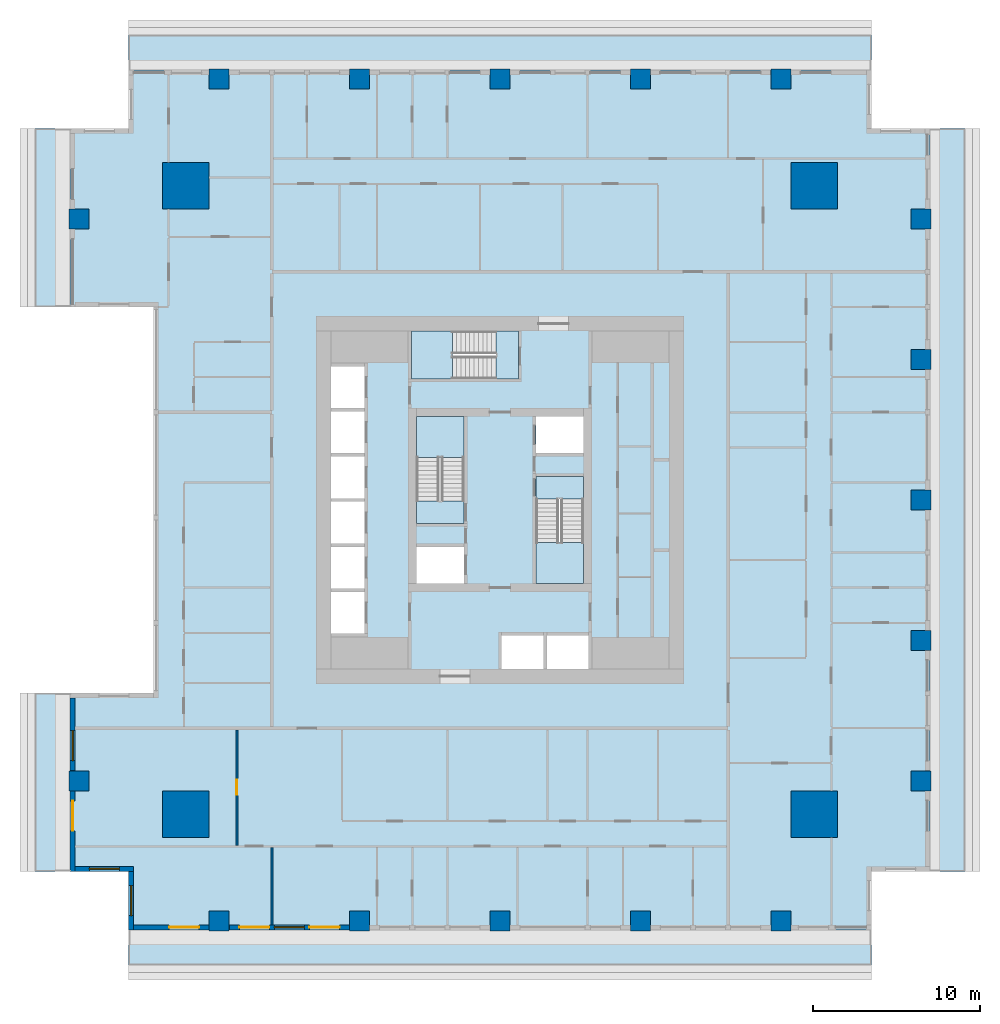
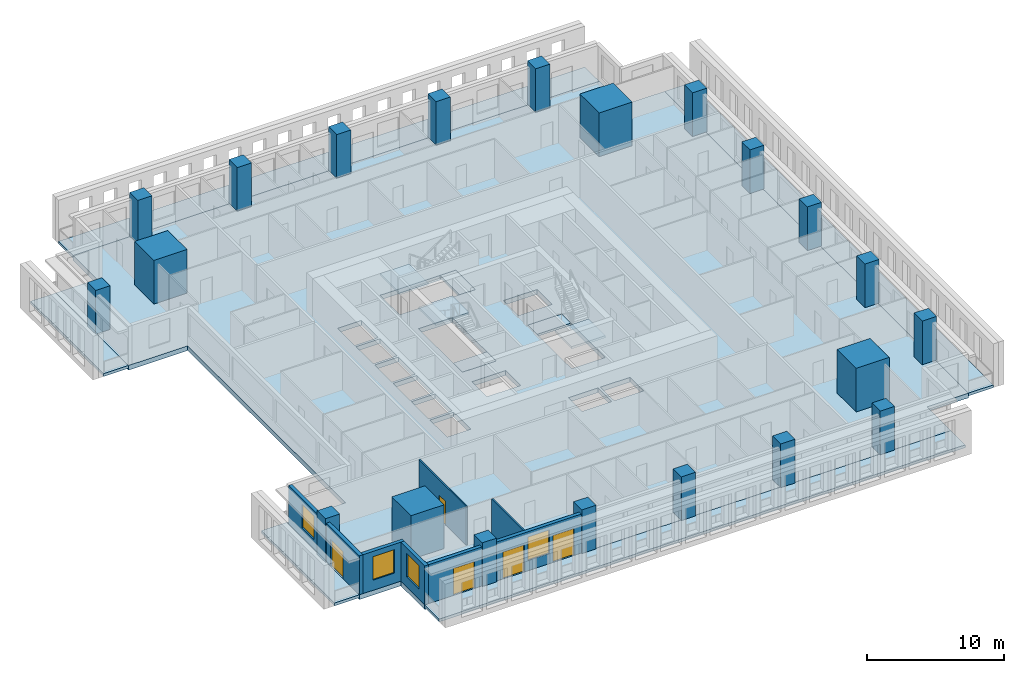
# One storey, part 1 of 14: 21 columns, 12 slabs, 8 walls, 5 doors, 4 windows, 9 openings, 3 elements without a shape of their own.
"""IFC4 building model written with IfcOpenShell, lengths in metres."""

import ifcopenshell
import ifcopenshell.guid

model = None  # the IFC model being written
_history = None  # IfcOwnerHistory: only IFC2X3 demands one
_inside = {}  # id of a spatial element -> (the spatial element, [elements in it])
_under = {}  # id of a project, library or spatial element -> (it, [spatial elements below it])
_declared = {}  # id of a project -> (the project, [libraries it declares])
_typed = {}  # id of a type object -> (the type object, [elements of that type])
_made_of = {}  # id of a material, layer set ... -> (it, [elements and type objects made of it])


def new_model(schema):
    """Start an empty IFC model of exactly this schema.

    Asked for "IFC4X3", IfcOpenShell would pick the latest addendum, in which some entities
    have other attributes; the version numbers below select the first issue.
    IFC2X3 requires an IfcOwnerHistory on every rooted entity: one is made here for all.
    """
    global model, _history
    if schema == "IFC4X3":
        model = ifcopenshell.file(schema_version=(4, 3, 0, 0))
    else:
        model = ifcopenshell.file(schema=schema)
    _inside.clear()
    _under.clear()
    _declared.clear()
    _typed.clear()
    _made_of.clear()
    _history = None
    if model.schema == "IFC2X3":
        org = make("IfcOrganization", Name="unknown")
        user = make(
            "IfcPersonAndOrganization",
            ThePerson=make("IfcPerson", FamilyName="unknown"),
            TheOrganization=org,
        )
        app = make(
            "IfcApplication",
            ApplicationDeveloper=org,
            Version="unknown",
            ApplicationFullName="unknown",
            ApplicationIdentifier="unknown",
        )
        _history = make(
            "IfcOwnerHistory",
            OwningUser=user,
            OwningApplication=app,
            ChangeAction="ADDED",
            CreationDate=0,
        )
    return model


def make(cls, **values):
    """One entity of the class cls with the attributes given. An attribute that is None is left unset."""
    return model.create_entity(
        cls, **{name: value for name, value in values.items() if value is not None}
    )


def rooted(cls, **values):
    """An entity with a GlobalId (a new one), such as an element, a storey or a relation."""
    return make(cls, GlobalId=ifcopenshell.guid.new(), OwnerHistory=_history, **values)


def si_unit(unit_type, name, prefix=None):
    """IfcSIUnit, for example si_unit("LENGTHUNIT", "METRE", prefix="MILLI")."""
    return make("IfcSIUnit", UnitType=unit_type, Prefix=prefix, Name=name)


def assignment(units):
    """IfcUnitAssignment: the units of a project."""
    return None if units is None else make("IfcUnitAssignment", Units=units)


def point(xyz):
    """IfcCartesianPoint."""
    return None if xyz is None else make("IfcCartesianPoint", Coordinates=xyz)


def direction(xyz):
    """IfcDirection."""
    return None if xyz is None else make("IfcDirection", DirectionRatios=xyz)


def frame(location, z_axis=None, x_axis=None):
    """IfcAxis2Placement3D, a coordinate frame: its origin and axes. An axis left out is left unset."""
    return make(
        "IfcAxis2Placement3D",
        Location=point(location),
        Axis=direction(z_axis),
        RefDirection=direction(x_axis),
    )


def frame_2d(location, x_axis=None):
    """IfcAxis2Placement2D, a coordinate frame in the plane: its origin and x axis."""
    return make(
        "IfcAxis2Placement2D", Location=point(location), RefDirection=direction(x_axis)
    )


def origin():
    """The frame at (0, 0, 0) with its axes left unset."""
    return frame((0.0, 0.0, 0.0))


def origin_2d():
    """The frame at (0, 0) in the plane with its x axis left unset."""
    return frame_2d((0.0, 0.0))


def place(relative_to, where):
    """IfcLocalPlacement: puts the frame where relative to a parent placement (None: the world)."""
    return make(
        "IfcLocalPlacement", PlacementRelTo=relative_to, RelativePlacement=where
    )


def context(
    kind, dimensions, precision=None, world=None, true_north=None, identifier=None
):
    """IfcGeometricRepresentationContext, for example the 3D "Model" context."""
    return make(
        "IfcGeometricRepresentationContext",
        ContextIdentifier=identifier,
        ContextType=kind,
        CoordinateSpaceDimension=dimensions,
        Precision=precision,
        WorldCoordinateSystem=world,
        TrueNorth=true_north,
    )


def subcontext(parent, identifier, kind, view, scale=None):
    """IfcGeometricRepresentationSubContext, for example "Body" below "Model"."""
    return make(
        "IfcGeometricRepresentationSubContext",
        ContextIdentifier=identifier,
        ContextType=kind,
        ParentContext=parent,
        TargetScale=scale,
        TargetView=view,
    )


def project(units=None, contexts=None):
    """IfcProject with its units and contexts."""
    return rooted(
        "IfcProject",
        Name="project",
        RepresentationContexts=contexts,
        UnitsInContext=assignment(units),
    )


def spatial(cls, under=None, at=None, **own):
    """A site, building, storey or space (cls), placed at a placement, below another one or the project."""
    s = rooted(cls, ObjectPlacement=at, **own)
    if under is not None:
        _under.setdefault(under.id(), (under, []))[1].append(s)
    return s


def polyline(points):
    """IfcPolyline through the points."""
    return make("IfcPolyline", Points=[point(p) for p in points])


def profile(cls, at=None, kind="AREA", **sizes):
    """A parametric profile (cls). Its sizes go by their IFC names, for example OverallWidth=200.0."""
    return make(cls, ProfileType=kind, Position=at, **sizes)


def rectangle(**sizes):
    """IfcRectangleProfileDef."""
    return profile("IfcRectangleProfileDef", **sizes)


def outline(outer, holes=None, kind="AREA"):
    """IfcArbitraryClosedProfileDef: a profile drawn as a closed curve; with holes, ...WithVoids."""
    if holes is None:
        return make("IfcArbitraryClosedProfileDef", ProfileType=kind, OuterCurve=outer)
    return make(
        "IfcArbitraryProfileDefWithVoids",
        ProfileType=kind,
        OuterCurve=outer,
        InnerCurves=holes,
    )


def extrude(swept, where, along, depth):
    """IfcExtrudedAreaSolid: the profile swept, set in the frame where, extruded along a direction by depth."""
    return make(
        "IfcExtrudedAreaSolid",
        SweptArea=swept,
        Position=where,
        ExtrudedDirection=direction(along),
        Depth=depth,
    )


def shape(context_of_items, identifier, shape_type, items):
    """IfcShapeRepresentation: the items that make up one representation, for example the "Body"."""
    return make(
        "IfcShapeRepresentation",
        ContextOfItems=context_of_items,
        RepresentationIdentifier=identifier,
        RepresentationType=shape_type,
        Items=items,
    )


def material(Name=None, Category=None):
    """IfcMaterial."""
    return make("IfcMaterial", Name=Name, Category=Category)


def layer(
    of_material, thickness, ventilated=None, Name=None, Category=None, Priority=None
):
    """IfcMaterialLayer: one layer of a wall or slab, of a material (None: an air gap)."""
    return make(
        "IfcMaterialLayer",
        Material=of_material,
        LayerThickness=thickness,
        IsVentilated=ventilated,
        Name=Name,
        Category=Category,
        Priority=Priority,
    )


def layer_set(layers, Name=None):
    """IfcMaterialLayerSet."""
    return make("IfcMaterialLayerSet", MaterialLayers=layers, LayerSetName=Name)


def material_profile(
    of_material, cross_section, Name=None, Category=None, Priority=None
):
    """IfcMaterialProfile: a cross section and its material."""
    return make(
        "IfcMaterialProfile",
        Name=Name,
        Material=of_material,
        Profile=cross_section,
        Priority=Priority,
        Category=Category,
    )


def profile_set(profiles, Name=None, composite=None):
    """IfcMaterialProfileSet."""
    return make(
        "IfcMaterialProfileSet",
        Name=Name,
        MaterialProfiles=profiles,
        CompositeProfile=composite,
    )


def made_of(thing, what):
    """Note that an element or type object is made of a material, layer set ...; save() writes the relation."""
    if what is not None:
        _made_of.setdefault(what.id(), (what, []))[1].append(thing)
    return thing


def type_object(cls, material=None, **own):
    """A type object (cls), such as IfcWallType, which elements share."""
    return made_of(rooted(cls, **own), material)


def element(
    cls,
    number,
    at=None,
    inside=None,
    cuts=None,
    type_object=None,
    material=None,
    context=None,
    identifier="Body",
    shape_type=None,
    held_by="IfcProductDefinitionShape",
    body=None,
    shapes=None,
    **own,
):
    """One element of the class cls, such as IfcWall. Its Tag is "e" and its number.

    at: its placement. inside: the storey or other place that contains it. cuts: it is an
    opening in that element (IfcRelVoidsElement). A single representation is given by context,
    identifier, shape_type and body (its items); several are given by shapes. held_by: the class
    of the entity that holds the representations. save() writes the other relations.
    """
    e = rooted(cls, Tag="e%d" % number, ObjectPlacement=at, **own)
    if body is not None:
        shapes = [shape(context, identifier, shape_type, body)]
    if shapes is not None:
        e.Representation = make(held_by, Representations=shapes)
    if inside is not None:
        _inside.setdefault(inside.id(), (inside, []))[1].append(e)
    if cuts is not None:
        rooted(
            "IfcRelVoidsElement", RelatingBuildingElement=cuts, RelatedOpeningElement=e
        )
    if type_object is not None:
        _typed.setdefault(type_object.id(), (type_object, []))[1].append(e)
    return made_of(e, material)


def fill(opening, filler):
    """IfcRelFillsElement: the door or window that sits in an opening."""
    return rooted(
        "IfcRelFillsElement",
        RelatingOpeningElement=opening,
        RelatedBuildingElement=filler,
    )


def aggregate(whole, parts):
    """IfcRelAggregates: a whole, such as a stair, and the parts it consists of."""
    return rooted("IfcRelAggregates", RelatingObject=whole, RelatedObjects=parts)


def save(model, path):
    """Write the relations noted so far, then the file.

    IfcRelAggregates (storeys below a building ...), IfcRelContainedInSpatialStructure (elements
    in a storey), IfcRelDefinesByType, IfcRelAssociatesMaterial and IfcRelDeclares: one each for
    every whole, place, type object, material and project.
    """
    for whole, parts in _under.values():
        aggregate(whole, parts)
    for where, things in _inside.values():
        rooted(
            "IfcRelContainedInSpatialStructure",
            RelatedElements=things,
            RelatingStructure=where,
        )
    for kind, things in _typed.values():
        rooted("IfcRelDefinesByType", RelatedObjects=things, RelatingType=kind)
    for what, things in _made_of.values():
        rooted("IfcRelAssociatesMaterial", RelatedObjects=things, RelatingMaterial=what)
    for by, libraries in _declared.values():
        rooted("IfcRelDeclares", RelatingContext=by, RelatedDefinitions=libraries)
    model.write(path)


model = new_model("IFC4")

# Units and contexts
model_context = context("Model", 3, precision=1e-05, world=origin(), true_north=direction((0.0, 1.0)))
body_context = subcontext(model_context, "Body", "Model", "MODEL_VIEW")
ifc_project = project(units=[si_unit("LENGTHUNIT", "METRE"), si_unit("AREAUNIT", "SQUARE_METRE"), si_unit("VOLUMEUNIT", "CUBIC_METRE"), si_unit("PLANEANGLEUNIT", "RADIAN"), si_unit("MASSUNIT", "GRAM", prefix="KILO")], contexts=[model_context])

# Site, building, storey
site_placement = place(None, origin())
site = spatial("IfcSite", under=ifc_project, at=site_placement, CompositionType="ELEMENT")
building_placement = place(site_placement, origin())
building = spatial("IfcBuilding", under=site, at=building_placement, Name="Khepri Terraces", CompositionType="ELEMENT")
storey_placement = place(building_placement, frame((0.0, 0.0, 114.300048828125)))
storey = spatial("IfcBuildingStorey", under=building, at=storey_placement, Name="L27", CompositionType="ELEMENT", Elevation=114.300048828125)

# Columns
ifc_material_1 = material(Name="Concrete C70/85", Category="concrete")
ifc_material_profile_1 = material_profile(ifc_material_1, rectangle(XDim=2.800048828125, YDim=2.800048828125, at=origin_2d()), Name="Concrete C70/85", Category="concrete")
ifc_profile_set_1 = profile_set([ifc_material_profile_1], Name="Concrete C70/85")
column_type_1 = type_object("IfcColumnType", Name="Mega column RC 2800x2800 C70/85", PredefinedType="COLUMN", material=ifc_profile_set_1)
for number, where, z_axis, x_axis, name in (
    (1, (18.800048828125, 18.800048828125, 0.0), (0.0, 0.0, 1.0), (1.0, 0.0, 0.0), "Mega column MEN L27"),
    (2, (18.800048828125, -18.800048828125, 0.0), (0.0, 0.0, 1.0), (1.0, 0.0, 0.0), "Mega column MES L27"),
    (3, (-18.800048828125, 18.800048828125, 0.0), (0.0, 0.0, 1.0), (1.0, 0.0, 0.0), "Mega column MWN L27"),
    (4, (-18.800048828125, -18.800048828125, 0.0), (0.0, 0.0, 1.0), (1.0, 0.0, 0.0), "Mega column MWS L27"),
):
    element("IfcColumn", number, at=place(storey_placement, frame(where, z_axis=z_axis, x_axis=x_axis)), inside=storey, type_object=column_type_1, Name=name, PredefinedType="COLUMN", context=body_context, shape_type="SweptSolid", body=[
        extrude(rectangle(XDim=2.800048828125, YDim=2.800048828125, at=origin_2d()), origin(), (0.0, 0.0, 1.0), 3.89990234375),
    ])
ifc_material_profile_2 = material_profile(ifc_material_1, rectangle(XDim=1.199951171875, YDim=1.199951171875, at=origin_2d()), Name="Concrete C70/85", Category="concrete")
ifc_profile_set_2 = profile_set([ifc_material_profile_2], Name="Concrete C70/85")
column_type_2 = type_object("IfcColumnType", Name="Tower column RC 1200x1200 C70/85", PredefinedType="COLUMN", material=ifc_profile_set_2)
for number, where, z_axis, x_axis, name in (
    (5, (25.199951171875, 0.0, 0.0), (0.0, 0.0, 1.0), (1.0, 0.0, 0.0), "Perimeter column PE+000a L27"),
    (6, (25.199951171875, 8.39990234375, 0.0), (0.0, 0.0, 1.0), (1.0, 0.0, 0.0), "Perimeter column PE+084a L27"),
    (7, (25.199951171875, 16.800048828125, 0.0), (0.0, 0.0, 1.0), (1.0, 0.0, 0.0), "Perimeter column PE+168a L27"),
    (8, (25.199951171875, -8.39990234375, 0.0), (0.0, 0.0, 1.0), (1.0, 0.0, 0.0), "Perimeter column PE-084a L27"),
    (9, (25.199951171875, -16.800048828125, 0.0), (0.0, 0.0, 1.0), (1.0, 0.0, 0.0), "Perimeter column PE-168a L27"),
    (10, (0.0, 25.199951171875, 0.0), (0.0, 0.0, 1.0), (1.0, 0.0, 0.0), "Perimeter column PN+000a L27"),
    (11, (-8.39990234375, 25.199951171875, 0.0), (0.0, 0.0, 1.0), (1.0, 0.0, 0.0), "Perimeter column PN+084a L27"),
    (12, (-16.800048828125, 25.199951171875, 0.0), (0.0, 0.0, 1.0), (1.0, 0.0, 0.0), "Perimeter column PN+168a L27"),
    (13, (8.39990234375, 25.199951171875, 0.0), (0.0, 0.0, 1.0), (1.0, 0.0, 0.0), "Perimeter column PN-084a L27"),
    (14, (16.800048828125, 25.199951171875, 0.0), (0.0, 0.0, 1.0), (1.0, 0.0, 0.0), "Perimeter column PN-168a L27"),
    (15, (0.0, -25.199951171875, 0.0), (0.0, 0.0, 1.0), (1.0, 0.0, 0.0), "Perimeter column PS+000b L27"),
    (16, (8.39990234375, -25.199951171875, 0.0), (0.0, 0.0, 1.0), (1.0, 0.0, 0.0), "Perimeter column PS+084b L27"),
    (17, (16.800048828125, -25.199951171875, 0.0), (0.0, 0.0, 1.0), (1.0, 0.0, 0.0), "Perimeter column PS+168a L27"),
    (18, (-8.39990234375, -25.199951171875, 0.0), (0.0, 0.0, 1.0), (1.0, 0.0, 0.0), "Perimeter column PS-084b L27"),
    (19, (-16.800048828125, -25.199951171875, 0.0), (0.0, 0.0, 1.0), (1.0, 0.0, 0.0), "Perimeter column PS-168a L27"),
    (20, (-25.199951171875, -16.800048828125, 0.0), (0.0, 0.0, 1.0), (1.0, 0.0, 0.0), "Perimeter column PW+168a L27"),
    (21, (-25.199951171875, 16.800048828125, 0.0), (0.0, 0.0, 1.0), (1.0, 0.0, 0.0), "Perimeter column PW-168a L27"),
):
    element("IfcColumn", number, at=place(storey_placement, frame(where, z_axis=z_axis, x_axis=x_axis)), inside=storey, type_object=column_type_2, Name=name, PredefinedType="COLUMN", context=body_context, shape_type="SweptSolid", body=[
        extrude(rectangle(XDim=1.199951171875, YDim=1.199951171875, at=origin_2d()), origin(), (0.0, 0.0, 1.0), 3.89990234375),
    ])

# Slabs
ifc_material_2 = material(Name="Concrete C40/50", Category="concrete")
ifc_layer_1 = layer(ifc_material_2, 0.419921875, Name="Concrete C40/50", Category="concrete")
ifc_layer_set_1 = layer_set([ifc_layer_1], Name="Concrete C40/50")
slab_type_1 = type_object("IfcSlabType", Name="Flat plate 420", PredefinedType="FLOOR", material=ifc_layer_set_1)
slab_1_placement = place(storey_placement, frame((0.0, 0.0, -0.420166015625)))
element("IfcSlab", 22, at=slab_1_placement, inside=storey, type_object=slab_type_1, Name="Floor slab F01 L27", PredefinedType="FLOOR", context=body_context, shape_type="SweptSolid", body=[
    extrude(outline(polyline([(22.219970703125, 22.219970703125), (25.719970703125, 22.219970703125), (25.719970703125, -22.219970703125), (22.219970703125, -22.219970703125), (22.219970703125, -25.719970703125), (-22.219970703125, -25.719970703125), (-22.219970703125, -22.219970703125), (-25.719970703125, -22.219970703125), (-25.719970703125, -11.550048828125), (-20.719970703125, -11.550048828125), (-20.719970703125, 11.550048828125), (-25.719970703125, 11.550048828125), (-25.719970703125, 22.219970703125), (-22.219970703125, 22.219970703125), (-22.219970703125, 25.719970703125), (22.219970703125, 25.719970703125), (22.219970703125, 22.219970703125)]), holes=[polyline([(5.0, 5.0), (2.14990234375, 5.0), (2.14990234375, 2.800048828125), (5.0, 2.800048828125), (5.0, 5.0)]), polyline([(-2.14990234375, -5.0), (-2.14990234375, -2.800048828125), (-5.0, -2.800048828125), (-5.0, -5.0), (-2.14990234375, -5.0)]), polyline([(-10.10009765625, -8.0), (-8.10009765625, -8.0), (-8.10009765625, -5.5), (-10.10009765625, -5.5), (-10.10009765625, -8.0)]), polyline([(-10.10009765625, -2.800048828125), (-10.10009765625, -5.300048828125), (-8.10009765625, -5.300048828125), (-8.10009765625, -2.800048828125), (-10.10009765625, -2.800048828125)]), polyline([(-8.10009765625, -0.10009765625), (-10.10009765625, -0.10009765625), (-10.10009765625, -2.60009765625), (-8.10009765625, -2.60009765625), (-8.10009765625, -0.10009765625)]), polyline([(-8.10009765625, 0.10009765625), (-8.10009765625, 2.60009765625), (-10.10009765625, 2.60009765625), (-10.10009765625, 0.10009765625), (-8.10009765625, 0.10009765625)]), polyline([(-10.10009765625, 2.800048828125), (-8.10009765625, 2.800048828125), (-8.10009765625, 5.300048828125), (-10.10009765625, 5.300048828125), (-10.10009765625, 2.800048828125)]), polyline([(-10.10009765625, 8.0), (-10.10009765625, 5.5), (-8.10009765625, 5.5), (-8.10009765625, 8.0), (-10.10009765625, 8.0)]), polyline([(2.60009765625, -8.10009765625), (0.10009765625, -8.10009765625), (0.10009765625, -10.10009765625), (2.60009765625, -10.10009765625), (2.60009765625, -8.10009765625)]), polyline([(5.300048828125, -10.10009765625), (5.300048828125, -8.10009765625), (2.800048828125, -8.10009765625), (2.800048828125, -10.10009765625), (5.300048828125, -10.10009765625)]), polyline([(-5.0, -1.39990234375), (-2.14990234375, -1.39990234375), (-2.14990234375, 5.0), (-5.0, 5.0), (-5.0, -1.39990234375)]), polyline([(5.0, -5.0), (5.0, 1.39990234375), (2.14990234375, 1.39990234375), (2.14990234375, -5.0), (5.0, -5.0)]), polyline([(-5.300048828125, 10.10009765625), (-5.300048828125, 7.25), (1.10009765625, 7.25), (1.10009765625, 10.10009765625), (-5.300048828125, 10.10009765625)])]), origin(), (0.0, 0.0, 1.0), 0.420166015625),
])
ifc_material_3 = material(Name="Precast concrete C50/60 warm stone", Category="masonry")
ifc_layer_2 = layer(ifc_material_3, 0.25, Name="Precast concrete C50/60 warm stone", Category="masonry")
ifc_layer_set_2 = layer_set([ifc_layer_2], Name="Precast concrete C50/60 warm stone")
slab_type_2 = type_object("IfcSlabType", Name="SLB-BALCONY-250", PredefinedType="FLOOR", material=ifc_layer_set_2)
slab_2_placement = place(storey_placement, frame((0.0, 0.0, -0.25)))
element("IfcSlab", 23, at=slab_2_placement, inside=storey, type_object=slab_type_2, Name="Balcony slab L27 S", PredefinedType="FLOOR", context=body_context, shape_type="SweptSolid", body=[
    extrude(outline(polyline([(-17.39990234375, -25.719970703125), (-22.219970703125, -25.719970703125), (-22.219970703125, -27.820068359375), (22.219970703125, -27.820068359375), (22.219970703125, -25.719970703125), (17.39990234375, -25.719970703125), (17.39990234375, -25.800048828125), (16.199951171875, -25.800048828125), (16.199951171875, -25.719970703125), (9.0, -25.719970703125), (9.0, -25.800048828125), (7.800048828125, -25.800048828125), (7.800048828125, -25.719970703125), (0.60009765625, -25.719970703125), (0.60009765625, -25.800048828125), (-0.60009765625, -25.800048828125), (-0.60009765625, -25.719970703125), (-7.800048828125, -25.719970703125), (-7.800048828125, -25.800048828125), (-9.0, -25.800048828125), (-9.0, -25.719970703125), (-16.199951171875, -25.719970703125), (-16.199951171875, -25.800048828125), (-17.39990234375, -25.800048828125), (-17.39990234375, -25.719970703125)])), origin(), (0.0, 0.0, 1.0), 0.25),
])
slab_3_placement = place(storey_placement, frame((0.0, 0.0, -0.25)))
element("IfcSlab", 24, at=slab_3_placement, inside=storey, type_object=slab_type_2, Name="Balcony slab L27 E", PredefinedType="FLOOR", context=body_context, shape_type="SweptSolid", body=[
    extrude(outline(polyline([(25.719970703125, -17.39990234375), (25.719970703125, -22.219970703125), (27.820068359375, -22.219970703125), (27.820068359375, 22.219970703125), (25.719970703125, 22.219970703125), (25.719970703125, 17.39990234375), (25.800048828125, 17.39990234375), (25.800048828125, 16.199951171875), (25.719970703125, 16.199951171875), (25.719970703125, 9.0), (25.800048828125, 9.0), (25.800048828125, 7.800048828125), (25.719970703125, 7.800048828125), (25.719970703125, 0.60009765625), (25.800048828125, 0.60009765625), (25.800048828125, -0.60009765625), (25.719970703125, -0.60009765625), (25.719970703125, -7.800048828125), (25.800048828125, -7.800048828125), (25.800048828125, -9.0), (25.719970703125, -9.0), (25.719970703125, -16.199951171875), (25.800048828125, -16.199951171875), (25.800048828125, -17.39990234375), (25.719970703125, -17.39990234375)])), origin(), (0.0, 0.0, 1.0), 0.25),
])
slab_4_placement = place(storey_placement, frame((0.0, 0.0, -0.25)))
element("IfcSlab", 25, at=slab_4_placement, inside=storey, type_object=slab_type_2, Name="Balcony slab L27 N", PredefinedType="FLOOR", context=body_context, shape_type="SweptSolid", body=[
    extrude(outline(polyline([(17.39990234375, 25.719970703125), (22.219970703125, 25.719970703125), (22.219970703125, 27.820068359375), (-22.219970703125, 27.820068359375), (-22.219970703125, 25.719970703125), (-17.39990234375, 25.719970703125), (-17.39990234375, 25.800048828125), (-16.199951171875, 25.800048828125), (-16.199951171875, 25.719970703125), (-9.0, 25.719970703125), (-9.0, 25.800048828125), (-7.800048828125, 25.800048828125), (-7.800048828125, 25.719970703125), (-0.60009765625, 25.719970703125), (-0.60009765625, 25.800048828125), (0.60009765625, 25.800048828125), (0.60009765625, 25.719970703125), (7.800048828125, 25.719970703125), (7.800048828125, 25.800048828125), (9.0, 25.800048828125), (9.0, 25.719970703125), (16.199951171875, 25.719970703125), (16.199951171875, 25.800048828125), (17.39990234375, 25.800048828125), (17.39990234375, 25.719970703125)])), origin(), (0.0, 0.0, 1.0), 0.25),
])
slab_5_placement = place(storey_placement, frame((0.0, 0.0, -0.25)))
element("IfcSlab", 26, at=slab_5_placement, inside=storey, type_object=slab_type_2, Name="Balcony slab L27 W", PredefinedType="FLOOR", context=body_context, shape_type="SweptSolid", body=[
    extrude(outline(polyline([(-25.719970703125, 17.39990234375), (-25.719970703125, 22.219970703125), (-27.820068359375, 22.219970703125), (-27.820068359375, 11.550048828125), (-25.719970703125, 11.550048828125), (-25.719970703125, 16.199951171875), (-25.800048828125, 16.199951171875), (-25.800048828125, 17.39990234375), (-25.719970703125, 17.39990234375)])), origin(), (0.0, 0.0, 1.0), 0.25),
])
slab_6_placement = place(storey_placement, frame((0.0, 0.0, -0.25)))
element("IfcSlab", 27, at=slab_6_placement, inside=storey, type_object=slab_type_2, Name="Balcony slab L27 W", PredefinedType="FLOOR", context=body_context, shape_type="SweptSolid", body=[
    extrude(outline(polyline([(-25.719970703125, -16.199951171875), (-25.719970703125, -11.550048828125), (-27.820068359375, -11.550048828125), (-27.820068359375, -22.219970703125), (-25.719970703125, -22.219970703125), (-25.719970703125, -17.39990234375), (-25.800048828125, -17.39990234375), (-25.800048828125, -16.199951171875), (-25.719970703125, -16.199951171875)])), origin(), (0.0, 0.0, 1.0), 0.25),
])

# Stair, slabs
stair_type = type_object("IfcStairType", Name="STAIR-RC-22R", PredefinedType="HALF_TURN_STAIR", material=ifc_material_2)
stair_1_placement = place(storey_placement, origin())
stair_1 = element("IfcStair", 28, at=stair_1_placement, inside=storey, type_object=stair_type, Name="L27 Exit Stair ST-1", PredefinedType="HALF_TURN_STAIR")
ifc_layer_3 = layer(ifc_material_2, 0.199951171875, Name="Concrete C40/50", Category="concrete")
ifc_layer_set_3 = layer_set([ifc_layer_3], Name="Concrete C40/50")
slab_type_3 = type_object("IfcSlabType", Name="SLB-CORE-LANDING", PredefinedType="LANDING", material=ifc_layer_set_3)
slab_7_placement = place(storey_placement, frame((0.0, 0.0, -0.199951171875)))
slab_7 = element("IfcSlab", 29, at=slab_7_placement, type_object=slab_type_3, Name="ST-1 landing 1", PredefinedType="LANDING", context=body_context, shape_type="SweptSolid", body=[
    extrude(outline(polyline([(-2.14990234375, -1.39990234375), (-2.14990234375, -0.050048828125), (-5.0, -0.050048828125), (-5.0, -1.39990234375), (-2.14990234375, -1.39990234375)])), origin(), (0.0, 0.0, 1.0), 0.199951171875),
])
slab_8_placement = place(storey_placement, frame((0.0, 0.0, 1.75)))
slab_8 = element("IfcSlab", 30, at=slab_8_placement, type_object=slab_type_3, Name="ST-1 landing 2", PredefinedType="LANDING", context=body_context, shape_type="SweptSolid", body=[
    extrude(outline(polyline([(-2.14990234375, 2.550048828125), (-2.14990234375, 5.0), (-5.0, 5.0), (-5.0, 2.550048828125), (-2.14990234375, 2.550048828125)])), origin(), (0.0, 0.0, 1.0), 0.199951171875),
])
aggregate(stair_1, [slab_7, slab_8])

stair_2_placement = place(storey_placement, origin())
stair_2 = element("IfcStair", 31, at=stair_2_placement, inside=storey, type_object=stair_type, Name="L27 Exit Stair ST-2", PredefinedType="HALF_TURN_STAIR")
slab_9_placement = place(storey_placement, frame((0.0, 0.0, -0.199951171875)))
slab_9 = element("IfcSlab", 32, at=slab_9_placement, type_object=slab_type_3, Name="ST-2 landing 1", PredefinedType="LANDING", context=body_context, shape_type="SweptSolid", body=[
    extrude(outline(polyline([(2.14990234375, 1.39990234375), (2.14990234375, 0.050048828125), (5.0, 0.050048828125), (5.0, 1.39990234375), (2.14990234375, 1.39990234375)])), origin(), (0.0, 0.0, 1.0), 0.199951171875),
])
slab_10_placement = place(storey_placement, frame((0.0, 0.0, 1.75)))
slab_10 = element("IfcSlab", 33, at=slab_10_placement, type_object=slab_type_3, Name="ST-2 landing 2", PredefinedType="LANDING", context=body_context, shape_type="SweptSolid", body=[
    extrude(outline(polyline([(2.14990234375, -2.550048828125), (2.14990234375, -5.0), (5.0, -5.0), (5.0, -2.550048828125), (2.14990234375, -2.550048828125)])), origin(), (0.0, 0.0, 1.0), 0.199951171875),
])
aggregate(stair_2, [slab_9, slab_10])

stair_3_placement = place(storey_placement, origin())
stair_3 = element("IfcStair", 34, at=stair_3_placement, inside=storey, type_object=stair_type, Name="L27 Exit Stair ST-3", PredefinedType="HALF_TURN_STAIR")
slab_11_placement = place(storey_placement, frame((0.0, 0.0, -0.199951171875)))
slab_11 = element("IfcSlab", 35, at=slab_11_placement, type_object=slab_type_3, Name="ST-3 landing 1", PredefinedType="LANDING", context=body_context, shape_type="SweptSolid", body=[
    extrude(outline(polyline([(1.10009765625, 10.10009765625), (-0.25, 10.10009765625), (-0.25, 7.25), (1.10009765625, 7.25), (1.10009765625, 10.10009765625)])), origin(), (0.0, 0.0, 1.0), 0.199951171875),
])
slab_12_placement = place(storey_placement, frame((0.0, 0.0, 1.75)))
slab_12 = element("IfcSlab", 36, at=slab_12_placement, type_object=slab_type_3, Name="ST-3 landing 2", PredefinedType="LANDING", context=body_context, shape_type="SweptSolid", body=[
    extrude(outline(polyline([(-2.85009765625, 10.10009765625), (-5.300048828125, 10.10009765625), (-5.300048828125, 7.25), (-2.85009765625, 7.25), (-2.85009765625, 10.10009765625)])), origin(), (0.0, 0.0, 1.0), 0.199951171875),
])
aggregate(stair_3, [slab_11, slab_12])

# Wall, opening, window
ifc_layer_4 = layer(ifc_material_3, 0.300048828125, Name="Precast concrete C50/60 warm stone", Category="masonry")
ifc_layer_set_4 = layer_set([ifc_layer_4], Name="Precast concrete C50/60 warm stone")
wall_type_1 = type_object("IfcWallType", Name="WL-EXT-PRECAST-300", PredefinedType="STANDARD", material=ifc_layer_set_4)
wall_1_placement = place(storey_placement, frame((-25.570068359375, -11.85009765625, 0.0), z_axis=(0.0, 0.0, 1.0), x_axis=(0.0, -1.0, 0.0)))
wall_1 = element("IfcWall", 37, at=wall_1_placement, inside=storey, type_object=wall_type_1, Name="External wall L27 W", PredefinedType="STANDARD", context=body_context, shape_type="SweptSolid", body=[
    extrude(rectangle(XDim=4.349853515625, YDim=0.300048828125, at=frame_2d((2.1748046875, 0.0))), origin(), (0.0, 0.0, 1.0), 3.47998046875),
])
opening_1_placement = place(wall_1_placement, frame((1.949951171875, 0.0, 0.89990234375)))
opening_1 = element("IfcOpeningElement", 38, at=opening_1_placement, cuts=wall_1, Name="Opening W1", PredefinedType="OPENING", context=body_context, shape_type="SweptSolid", body=[
    extrude(rectangle(XDim=1.800048828125, YDim=2.10009765625, at=frame_2d((0.89990234375, 1.050048828125))), frame((0.0, 0.16015625, 0.0), z_axis=(0.0, -1.0, 0.0), x_axis=(1.0, 0.0, 0.0)), (0.0, 0.0, 1.0), 0.320068359375),
])
ifc_material_4 = material(Name="Clear glass", Category="glass")
window_type = type_object("IfcWindowType", Name="WIN-RES-1800x2100", PartitioningType="SINGLE_PANEL", PredefinedType="WINDOW", material=ifc_material_4)
window_1_placement = place(opening_1_placement, origin())
window_1 = element("IfcWindow", 39, at=window_1_placement, inside=storey, type_object=window_type, Name="Window L27 W", OverallHeight=2.10009765625, OverallWidth=1.800048828125, PartitioningType="SINGLE_PANEL", PredefinedType="WINDOW", context=body_context, shape_type="SweptSolid", body=[
    extrude(rectangle(XDim=1.800048828125, YDim=2.10009765625, at=frame_2d((0.89990234375, 1.050048828125))), frame((0.0, 0.030029296875, 0.0), z_axis=(0.0, -1.0, 0.0), x_axis=(1.0, 0.0, 0.0)), (0.0, 0.0, 1.0), 0.06005859375),
])
fill(opening_1, window_1)

# Wall, opening, door
wall_2_placement = place(storey_placement, frame((-25.570068359375, -17.39990234375, 0.0), z_axis=(0.0, 0.0, 1.0), x_axis=(0.0, -1.0, 0.0)))
wall_2 = element("IfcWall", 40, at=wall_2_placement, inside=storey, type_object=wall_type_1, Name="External wall L27 W", PredefinedType="STANDARD", context=body_context, shape_type="SweptSolid", body=[
    extrude(rectangle(XDim=4.820068359375, YDim=0.300048828125, at=frame_2d((2.41015625, 0.0))), origin(), (0.0, 0.0, 1.0), 3.47998046875),
])
opening_2_placement = place(wall_2_placement, frame((0.60009765625, 0.0, 0.0)))
opening_2 = element("IfcOpeningElement", 41, at=opening_2_placement, cuts=wall_2, Name="Opening ED-L27-14", PredefinedType="OPENING", context=body_context, shape_type="SweptSolid", body=[
    extrude(rectangle(XDim=1.800048828125, YDim=2.39990234375, at=frame_2d((0.89990234375, 1.199951171875))), frame((0.0, 0.16015625, 0.0), z_axis=(0.0, -1.0, 0.0), x_axis=(1.0, 0.0, 0.0)), (0.0, 0.0, 1.0), 0.320068359375),
])
ifc_material_5 = material(Name="Anodised aluminium bronze glazed door", Category="aluminium")
door_type_1 = type_object("IfcDoorType", Name="DR-BAL-SLIDE-1800x2400", OperationType="NOTDEFINED", PredefinedType="DOOR", material=ifc_material_5)
door_1_placement = place(opening_2_placement, origin())
door_1 = element("IfcDoor", 42, at=door_1_placement, inside=storey, type_object=door_type_1, Name="Balcony door L27 W", OperationType="SLIDING_TO_LEFT", OverallHeight=2.39990234375, OverallWidth=1.800048828125, PredefinedType="DOOR", context=body_context, shape_type="SweptSolid", body=[
    extrude(rectangle(XDim=1.800048828125, YDim=2.39990234375, at=frame_2d((0.89990234375, 1.199951171875))), frame((0.0, 0.02490234375, 0.0), z_axis=(0.0, -1.0, 0.0), x_axis=(1.0, 0.0, 0.0)), (0.0, 0.0, 1.0), 0.050048828125),
])
fill(opening_2, door_1)

# Wall, opening, window
wall_3_placement = place(storey_placement, frame((-25.419921875, -22.070068359375, 0.0), z_axis=(0.0, 0.0, 1.0), x_axis=(1.0, 0.0, 0.0)))
wall_3 = element("IfcWall", 43, at=wall_3_placement, inside=storey, type_object=wall_type_1, Name="External wall L27 S", PredefinedType="STANDARD", context=body_context, shape_type="SweptSolid", body=[
    extrude(rectangle(XDim=3.5, YDim=0.300048828125, at=frame_2d((1.75, 0.0))), origin(), (0.0, 0.0, 1.0), 3.47998046875),
])
opening_3_placement = place(wall_3_placement, frame((0.85009765625, 0.0, 0.89990234375)))
opening_3 = element("IfcOpeningElement", 44, at=opening_3_placement, cuts=wall_3, Name="Opening W1", PredefinedType="OPENING", context=body_context, shape_type="SweptSolid", body=[
    extrude(rectangle(XDim=1.800048828125, YDim=2.10009765625, at=frame_2d((0.89990234375, 1.050048828125))), frame((0.0, 0.16015625, 0.0), z_axis=(0.0, -1.0, 0.0), x_axis=(1.0, 0.0, 0.0)), (0.0, 0.0, 1.0), 0.320068359375),
])
window_2_placement = place(opening_3_placement, origin())
window_2 = element("IfcWindow", 45, at=window_2_placement, inside=storey, type_object=window_type, Name="Window L27 S", OverallHeight=2.10009765625, OverallWidth=1.800048828125, PartitioningType="SINGLE_PANEL", PredefinedType="WINDOW", context=body_context, shape_type="SweptSolid", body=[
    extrude(rectangle(XDim=1.800048828125, YDim=2.10009765625, at=frame_2d((0.89990234375, 1.050048828125))), frame((0.0, 0.030029296875, 0.0), z_axis=(0.0, -1.0, 0.0), x_axis=(1.0, 0.0, 0.0)), (0.0, 0.0, 1.0), 0.06005859375),
])
fill(opening_3, window_2)

wall_4_placement = place(storey_placement, frame((-22.070068359375, -22.219970703125, 0.0), z_axis=(0.0, 0.0, 1.0), x_axis=(0.0, -1.0, 0.0)))
wall_4 = element("IfcWall", 46, at=wall_4_placement, inside=storey, type_object=wall_type_1, Name="External wall L27 W", PredefinedType="STANDARD", context=body_context, shape_type="SweptSolid", body=[
    extrude(rectangle(XDim=3.5, YDim=0.300048828125, at=frame_2d((1.75, 0.0))), origin(), (0.0, 0.0, 1.0), 3.47998046875),
])
opening_4_placement = place(wall_4_placement, frame((0.85009765625, 0.0, 0.89990234375)))
opening_4 = element("IfcOpeningElement", 47, at=opening_4_placement, cuts=wall_4, Name="Opening W1", PredefinedType="OPENING", context=body_context, shape_type="SweptSolid", body=[
    extrude(rectangle(XDim=1.800048828125, YDim=2.10009765625, at=frame_2d((0.89990234375, 1.050048828125))), frame((0.0, 0.16015625, 0.0), z_axis=(0.0, -1.0, 0.0), x_axis=(1.0, 0.0, 0.0)), (0.0, 0.0, 1.0), 0.320068359375),
])
window_3_placement = place(opening_4_placement, origin())
window_3 = element("IfcWindow", 48, at=window_3_placement, inside=storey, type_object=window_type, Name="Window L27 W", OverallHeight=2.10009765625, OverallWidth=1.800048828125, PartitioningType="SINGLE_PANEL", PredefinedType="WINDOW", context=body_context, shape_type="SweptSolid", body=[
    extrude(rectangle(XDim=1.800048828125, YDim=2.10009765625, at=frame_2d((0.89990234375, 1.050048828125))), frame((0.0, 0.030029296875, 0.0), z_axis=(0.0, -1.0, 0.0), x_axis=(1.0, 0.0, 0.0)), (0.0, 0.0, 1.0), 0.06005859375),
])
fill(opening_4, window_3)

# Wall, opening, door
wall_5_placement = place(storey_placement, frame((-21.919921875, -25.570068359375, 0.0), z_axis=(0.0, 0.0, 1.0), x_axis=(1.0, 0.0, 0.0)))
wall_5 = element("IfcWall", 49, at=wall_5_placement, inside=storey, type_object=wall_type_1, Name="External wall L27 S", PredefinedType="STANDARD", context=body_context, shape_type="SweptSolid", body=[
    extrude(rectangle(XDim=4.52001953125, YDim=0.300048828125, at=frame_2d((2.260009765625, 0.0))), origin(), (0.0, 0.0, 1.0), 3.47998046875),
])
opening_5_placement = place(wall_5_placement, frame((2.1201171875, 0.0, 0.0)))
opening_5 = element("IfcOpeningElement", 50, at=opening_5_placement, cuts=wall_5, Name="Opening ED-L27-15", PredefinedType="OPENING", context=body_context, shape_type="SweptSolid", body=[
    extrude(rectangle(XDim=1.800048828125, YDim=2.39990234375, at=frame_2d((0.89990234375, 1.199951171875))), frame((0.0, 0.16015625, 0.0), z_axis=(0.0, -1.0, 0.0), x_axis=(1.0, 0.0, 0.0)), (0.0, 0.0, 1.0), 0.320068359375),
])
door_2_placement = place(opening_5_placement, origin())
door_2 = element("IfcDoor", 51, at=door_2_placement, inside=storey, type_object=door_type_1, Name="Balcony door L27 S", OperationType="SLIDING_TO_RIGHT", OverallHeight=2.39990234375, OverallWidth=1.800048828125, PredefinedType="DOOR", context=body_context, shape_type="SweptSolid", body=[
    extrude(rectangle(XDim=1.800048828125, YDim=2.39990234375, at=frame_2d((0.89990234375, 1.199951171875))), frame((0.0, 0.02490234375, 0.0), z_axis=(0.0, -1.0, 0.0), x_axis=(1.0, 0.0, 0.0)), (0.0, 0.0, 1.0), 0.050048828125),
])
fill(opening_5, door_2)

# Wall, openings, doors, window
wall_6_placement = place(storey_placement, frame((-16.199951171875, -25.570068359375, 0.0), z_axis=(0.0, 0.0, 1.0), x_axis=(1.0, 0.0, 0.0)))
wall_6 = element("IfcWall", 52, at=wall_6_placement, inside=storey, type_object=wall_type_1, Name="External wall L27 S", PredefinedType="STANDARD", context=body_context, shape_type="SweptSolid", body=[
    extrude(rectangle(XDim=7.199951171875, YDim=0.300048828125, at=frame_2d((3.60009765625, 0.0))), origin(), (0.0, 0.0, 1.0), 3.47998046875),
])
opening_6_placement = place(wall_6_placement, frame((0.60009765625, 0.0, 0.0)))
opening_6 = element("IfcOpeningElement", 53, at=opening_6_placement, cuts=wall_6, Name="Opening ED-L27-16", PredefinedType="OPENING", context=body_context, shape_type="SweptSolid", body=[
    extrude(rectangle(XDim=1.800048828125, YDim=2.39990234375, at=frame_2d((0.89990234375, 1.199951171875))), frame((0.0, 0.16015625, 0.0), z_axis=(0.0, -1.0, 0.0), x_axis=(1.0, 0.0, 0.0)), (0.0, 0.0, 1.0), 0.320068359375),
])
opening_7_placement = place(wall_6_placement, frame((2.699951171875, 0.0, 0.89990234375)))
opening_7 = element("IfcOpeningElement", 54, at=opening_7_placement, cuts=wall_6, Name="Opening W1", PredefinedType="OPENING", context=body_context, shape_type="SweptSolid", body=[
    extrude(rectangle(XDim=1.800048828125, YDim=2.10009765625, at=frame_2d((0.89990234375, 1.050048828125))), frame((0.0, 0.16015625, 0.0), z_axis=(0.0, -1.0, 0.0), x_axis=(1.0, 0.0, 0.0)), (0.0, 0.0, 1.0), 0.320068359375),
])
opening_8_placement = place(wall_6_placement, frame((4.800048828125, 0.0, 0.0)))
opening_8 = element("IfcOpeningElement", 55, at=opening_8_placement, cuts=wall_6, Name="Opening ED-L27-17", PredefinedType="OPENING", context=body_context, shape_type="SweptSolid", body=[
    extrude(rectangle(XDim=1.800048828125, YDim=2.39990234375, at=frame_2d((0.89990234375, 1.199951171875))), frame((0.0, 0.16015625, 0.0), z_axis=(0.0, -1.0, 0.0), x_axis=(1.0, 0.0, 0.0)), (0.0, 0.0, 1.0), 0.320068359375),
])
door_3_placement = place(opening_6_placement, origin())
door_3 = element("IfcDoor", 56, at=door_3_placement, inside=storey, type_object=door_type_1, Name="Balcony door L27 S", OperationType="SLIDING_TO_LEFT", OverallHeight=2.39990234375, OverallWidth=1.800048828125, PredefinedType="DOOR", context=body_context, shape_type="SweptSolid", body=[
    extrude(rectangle(XDim=1.800048828125, YDim=2.39990234375, at=frame_2d((0.89990234375, 1.199951171875))), frame((0.0, 0.02490234375, 0.0), z_axis=(0.0, -1.0, 0.0), x_axis=(1.0, 0.0, 0.0)), (0.0, 0.0, 1.0), 0.050048828125),
])
fill(opening_6, door_3)
door_4_placement = place(opening_8_placement, origin())
door_4 = element("IfcDoor", 57, at=door_4_placement, inside=storey, type_object=door_type_1, Name="Balcony door L27 S", OperationType="SLIDING_TO_RIGHT", OverallHeight=2.39990234375, OverallWidth=1.800048828125, PredefinedType="DOOR", context=body_context, shape_type="SweptSolid", body=[
    extrude(rectangle(XDim=1.800048828125, YDim=2.39990234375, at=frame_2d((0.89990234375, 1.199951171875))), frame((0.0, 0.02490234375, 0.0), z_axis=(0.0, -1.0, 0.0), x_axis=(1.0, 0.0, 0.0)), (0.0, 0.0, 1.0), 0.050048828125),
])
fill(opening_8, door_4)
window_4_placement = place(opening_7_placement, origin())
window_4 = element("IfcWindow", 58, at=window_4_placement, inside=storey, type_object=window_type, Name="Window L27 S", OverallHeight=2.10009765625, OverallWidth=1.800048828125, PartitioningType="SINGLE_PANEL", PredefinedType="WINDOW", context=body_context, shape_type="SweptSolid", body=[
    extrude(rectangle(XDim=1.800048828125, YDim=2.10009765625, at=frame_2d((0.89990234375, 1.050048828125))), frame((0.0, 0.030029296875, 0.0), z_axis=(0.0, -1.0, 0.0), x_axis=(1.0, 0.0, 0.0)), (0.0, 0.0, 1.0), 0.06005859375),
])
fill(opening_7, window_4)

# Wall
ifc_material_6 = material(Name="Gypsum plasterboard partition")
ifc_layer_5 = layer(ifc_material_6, 0.1201171875, Name="Gypsum plasterboard partition")
ifc_layer_set_5 = layer_set([ifc_layer_5], Name="Gypsum plasterboard partition")
wall_type_2 = type_object("IfcWallType", Name="WL-PART-120", PredefinedType="PARTITIONING", material=ifc_layer_set_5)
wall_7_placement = place(storey_placement, frame((-13.64990234375, -25.419921875, 0.0), z_axis=(0.0, 0.0, 1.0), x_axis=(0.0, 1.0, 0.0)))
element("IfcWall", 59, at=wall_7_placement, inside=storey, type_object=wall_type_2, Name="Partition P-001 L27", PredefinedType="PARTITIONING", context=body_context, shape_type="SweptSolid", body=[
    extrude(rectangle(XDim=4.639892578125, YDim=0.1201171875, at=frame_2d((2.31982421875, 0.0))), origin(), (0.0, 0.0, 1.0), 3.47998046875),
])

# Wall, opening, door
wall_8_placement = place(storey_placement, frame((-15.75, -20.659912109375, 0.0), z_axis=(0.0, 0.0, 1.0), x_axis=(0.0, 1.0, 0.0)))
wall_8 = element("IfcWall", 60, at=wall_8_placement, inside=storey, type_object=wall_type_2, Name="Partition P-012 L27", PredefinedType="PARTITIONING", context=body_context, shape_type="SweptSolid", body=[
    extrude(rectangle(XDim=6.909912109375, YDim=0.1201171875, at=frame_2d((3.455078125, 0.0))), origin(), (0.0, 0.0, 1.0), 3.47998046875),
])
opening_9_placement = place(wall_8_placement, frame((3.02490234375, 0.0, 0.0)))
opening_9 = element("IfcOpeningElement", 61, at=opening_9_placement, cuts=wall_8, Name="Opening D3", PredefinedType="OPENING", context=body_context, shape_type="SweptSolid", body=[
    extrude(rectangle(XDim=0.89990234375, YDim=2.10009765625, at=frame_2d((0.449951171875, 1.050048828125))), frame((0.0, 0.070068359375, 0.0), z_axis=(0.0, -1.0, 0.0), x_axis=(1.0, 0.0, 0.0)), (0.0, 0.0, 1.0), 0.14013671875),
])
ifc_material_7 = material(Name="Timber door leaf", Category="wood")
door_type_2 = type_object("IfcDoorType", Name="DR-INT-900", OperationType="NOTDEFINED", PredefinedType="DOOR", material=ifc_material_7)
door_5_placement = place(opening_9_placement, origin())
door_5 = element("IfcDoor", 62, at=door_5_placement, inside=storey, type_object=door_type_2, Name="Door Home Cinema", OperationType="SINGLE_SWING_RIGHT", OverallHeight=2.10009765625, OverallWidth=0.89990234375, PredefinedType="DOOR", context=body_context, shape_type="SweptSolid", body=[
    extrude(rectangle(XDim=0.89990234375, YDim=2.10009765625, at=frame_2d((0.449951171875, 1.050048828125))), frame((0.0, 0.02490234375, 0.0), z_axis=(0.0, -1.0, 0.0), x_axis=(1.0, 0.0, 0.0)), (0.0, 0.0, 1.0), 0.050048828125),
])
fill(opening_9, door_5)

save(model, "model.ifc")
